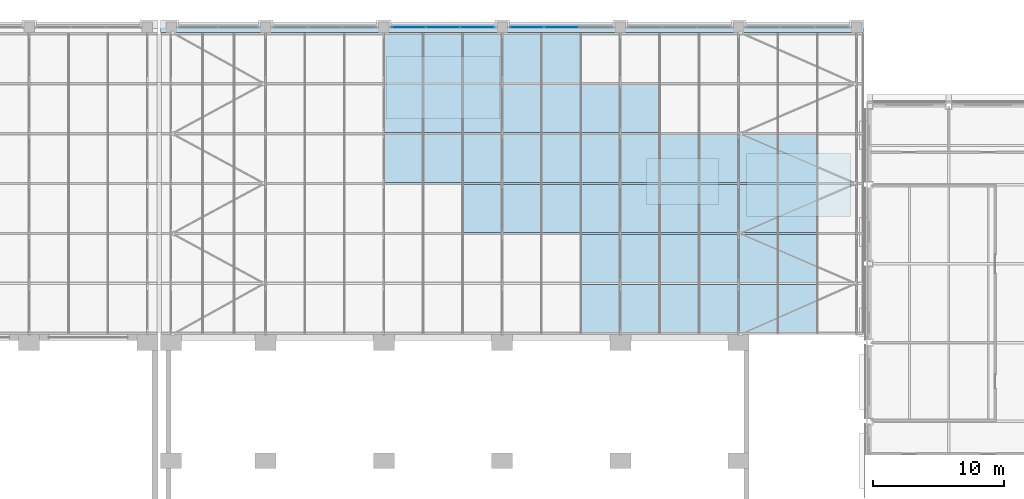
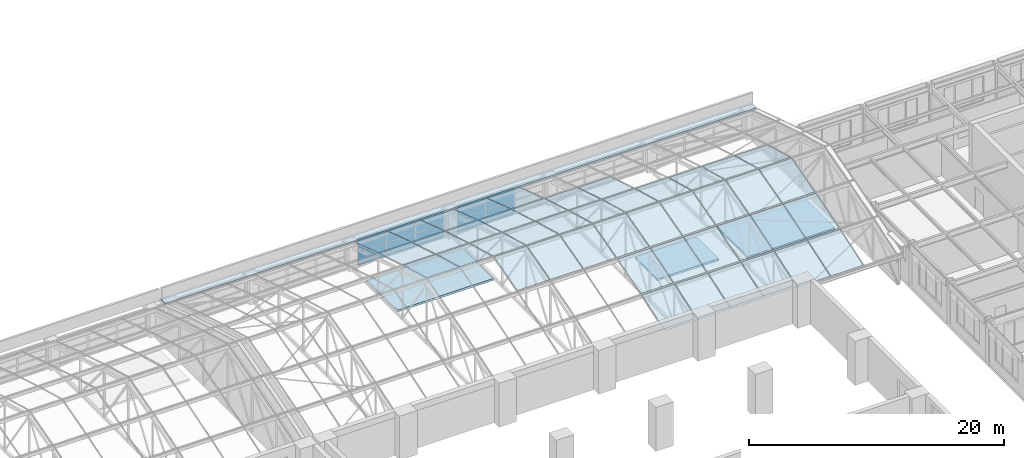
# One storey, part 52 of 82: 54 plates, 4 slabs, 3 elements without a shape of their own.
"""IFC4 building model written with IfcOpenShell, lengths in metres."""

from ifc_helpers import new_model, si_unit, direction, frame, origin, origin_2d, place, context, subcontext, project, spatial, polyline, rectangle, outline, extrude, material, layer, layer_set, type_object, element, aggregate, save


model = new_model("IFC4")

# Units and contexts
model_context = context("Model", 3, precision=1e-05, world=origin(), true_north=direction((0.0, 1.0)))
body_context = subcontext(model_context, "Body", "Model", "MODEL_VIEW")
ifc_project = project(units=[si_unit("LENGTHUNIT", "METRE"), si_unit("AREAUNIT", "SQUARE_METRE"), si_unit("VOLUMEUNIT", "CUBIC_METRE"), si_unit("PLANEANGLEUNIT", "RADIAN"), si_unit("MASSUNIT", "GRAM", prefix="KILO")], contexts=[model_context])

# Site, building, storey
site_placement = place(None, origin())
site = spatial("IfcSite", under=ifc_project, at=site_placement, CompositionType="ELEMENT")
building_placement = place(site_placement, origin())
building = spatial("IfcBuilding", under=site, at=building_placement, Name="Aravalli Gate Trade Fair Centre", CompositionType="ELEMENT")
storey_placement = place(building_placement, frame((0.0, 0.0, 19.199951171875)))
storey = spatial("IfcBuildingStorey", under=building, at=storey_placement, Name="L04", CompositionType="ELEMENT", Elevation=19.199951171875)

# Slabs
ifc_material_1 = material(Name="Concrete M40", Category="concrete")
ifc_layer_1 = layer(ifc_material_1, 0.199951171875)
ifc_layer_set_1 = layer_set([ifc_layer_1], Name="Concrete M40")
slab_type_1 = type_object("IfcSlabType", Name="Concourse core cover slab 200", PredefinedType="ROOF", material=ifc_layer_set_1)
slab_1_placement = place(storey_placement, origin())
element("IfcSlab", 1, at=slab_1_placement, inside=storey, type_object=slab_type_1, Name="Core cover slab ES", PredefinedType="ROOF", context=body_context, shape_type="SweptSolid", body=[
    extrude(outline(polyline([(150.60009765625, 118.60009765625), (158.5, 118.60009765625), (158.5, 123.39990234375), (150.60009765625, 123.39990234375), (150.60009765625, 118.60009765625)])), origin(), (0.0, 0.0, 1.0), 0.199951171875),
])
slab_2_placement = place(storey_placement, origin())
element("IfcSlab", 2, at=slab_2_placement, inside=storey, type_object=slab_type_1, Name="Core cover slab EL", PredefinedType="ROOF", context=body_context, shape_type="SweptSolid", body=[
    extrude(outline(polyline([(142.949951171875, 119.5), (148.5, 119.5), (148.5, 123.0), (142.949951171875, 123.0), (142.949951171875, 119.5)])), origin(), (0.0, 0.0, 1.0), 0.199951171875),
])
slab_3_placement = place(storey_placement, origin())
element("IfcSlab", 3, at=slab_3_placement, inside=storey, type_object=slab_type_1, Name="Core cover slab XE", PredefinedType="ROOF", context=body_context, shape_type="SweptSolid", body=[
    extrude(outline(polyline([(123.14990234375, 126.0), (131.85009765625, 126.0), (131.85009765625, 130.800048828125), (123.14990234375, 130.800048828125), (123.14990234375, 126.0)])), origin(), (0.0, 0.0, 1.0), 0.199951171875),
])
ifc_material_2 = material(Name="Concrete M30", Category="concrete")
ifc_layer_2 = layer(ifc_material_2, 0.1201171875, Name="Concrete topping")
ifc_material_3 = material(Name="Steel E350", Category="steel")
ifc_layer_3 = layer(ifc_material_3, 0.030029296875, Name="Profiled deck sheet")
ifc_layer_set_2 = layer_set([ifc_layer_2, ifc_layer_3], Name="Concourse roof deck 150")
slab_type_2 = type_object("IfcSlabType", Name="Concourse roof deck 150", PredefinedType="ROOF", material=ifc_layer_set_2)
slab_4_placement = place(storey_placement, frame((0.0, 0.0, 2.699951171875)))
element("IfcSlab", 4, at=slab_4_placement, inside=storey, type_object=slab_type_2, Name="Concourse eaves deck 3", PredefinedType="ROOF", context=body_context, shape_type="SweptSolid", body=[
    extrude(outline(polyline([(159.5, 133.39990234375), (106.0, 133.39990234375), (106.0, 132.60009765625), (159.5, 132.60009765625), (159.5, 133.39990234375)])), origin(), (0.0, 0.0, 1.0), 0.150146484375),
])

# Curtain wall, plates
ifc_material_4 = material(Name="Aluminium and glass", Category="aluminium")
curtain_wall_type_1 = type_object("IfcCurtainWallType", Name="Curtain wall 3000 module", PredefinedType="NOTDEFINED", material=ifc_material_4)
curtain_wall_1_placement = place(storey_placement, origin())
curtain_wall_1 = element("IfcCurtainWall", 5, at=curtain_wall_1_placement, inside=storey, type_object=curtain_wall_type_1, Name="Curtain wall north bay 15 L04", PredefinedType="NOTDEFINED")
ifc_material_5 = material(Name="Glass, double glazed", Category="glass")
ifc_layer_4 = layer(ifc_material_5, 0.028076171875)
ifc_layer_set_3 = layer_set([ifc_layer_4], Name="Glass, double glazed")
plate_type_1 = type_object("IfcPlateType", Name="Curtain wall panel, double glazed 28", PredefinedType="CURTAIN_PANEL", material=ifc_layer_set_3)
plate_1_placement = place(storey_placement, frame((124.881591796875, 133.0, 0.06005859375), z_axis=(0.0, 0.0, 1.0), x_axis=(1.0, 0.0, 0.0)))
plate_1 = element("IfcPlate", 6, at=plate_1_placement, type_object=plate_type_1, Name="CW1 panel 1.1", PredefinedType="CURTAIN_PANEL", context=body_context, shape_type="SweptSolid", body=[
    extrude(rectangle(XDim=2.543212890625, YDim=0.028076171875, at=origin_2d()), origin(), (0.0, 0.0, 1.0), 1.260009765625),
])
plate_2_placement = place(storey_placement, frame((124.881591796875, 133.0, 1.3798828125), z_axis=(0.0, 0.0, 1.0), x_axis=(1.0, 0.0, 0.0)))
plate_2 = element("IfcPlate", 7, at=plate_2_placement, type_object=plate_type_1, Name="CW1 panel 1.2", PredefinedType="CURTAIN_PANEL", context=body_context, shape_type="SweptSolid", body=[
    extrude(rectangle(XDim=2.543212890625, YDim=0.028076171875, at=origin_2d()), origin(), (0.0, 0.0, 1.0), 1.260009765625),
])
plate_3_placement = place(storey_placement, frame((127.5, 133.0, 0.06005859375), z_axis=(0.0, 0.0, 1.0), x_axis=(1.0, 0.0, 0.0)))
plate_3 = element("IfcPlate", 8, at=plate_3_placement, type_object=plate_type_1, Name="CW1 panel 2.1", PredefinedType="CURTAIN_PANEL", context=body_context, shape_type="SweptSolid", body=[
    extrude(rectangle(XDim=2.5732421875, YDim=0.028076171875, at=origin_2d()), origin(), (0.0, 0.0, 1.0), 1.260009765625),
])
plate_4_placement = place(storey_placement, frame((127.5, 133.0, 1.3798828125), z_axis=(0.0, 0.0, 1.0), x_axis=(1.0, 0.0, 0.0)))
plate_4 = element("IfcPlate", 9, at=plate_4_placement, type_object=plate_type_1, Name="CW1 panel 2.2", PredefinedType="CURTAIN_PANEL", context=body_context, shape_type="SweptSolid", body=[
    extrude(rectangle(XDim=2.5732421875, YDim=0.028076171875, at=origin_2d()), origin(), (0.0, 0.0, 1.0), 1.260009765625),
])
plate_5_placement = place(storey_placement, frame((130.118408203125, 133.0, 0.06005859375), z_axis=(0.0, 0.0, 1.0), x_axis=(1.0, 0.0, 0.0)))
plate_5 = element("IfcPlate", 10, at=plate_5_placement, type_object=plate_type_1, Name="CW1 panel 3.1", PredefinedType="CURTAIN_PANEL", context=body_context, shape_type="SweptSolid", body=[
    extrude(rectangle(XDim=2.543212890625, YDim=0.028076171875, at=origin_2d()), origin(), (0.0, 0.0, 1.0), 1.260009765625),
])
plate_6_placement = place(storey_placement, frame((130.118408203125, 133.0, 1.3798828125), z_axis=(0.0, 0.0, 1.0), x_axis=(1.0, 0.0, 0.0)))
plate_6 = element("IfcPlate", 11, at=plate_6_placement, type_object=plate_type_1, Name="CW1 panel 3.2", PredefinedType="CURTAIN_PANEL", context=body_context, shape_type="SweptSolid", body=[
    extrude(rectangle(XDim=2.543212890625, YDim=0.028076171875, at=origin_2d()), origin(), (0.0, 0.0, 1.0), 1.260009765625),
])
aggregate(curtain_wall_1, [plate_1, plate_2, plate_3, plate_4, plate_5, plate_6])

curtain_wall_2_placement = place(storey_placement, origin())
curtain_wall_2 = element("IfcCurtainWall", 12, at=curtain_wall_2_placement, inside=storey, type_object=curtain_wall_type_1, Name="Curtain wall north bay 16 L04", PredefinedType="NOTDEFINED")
plate_7_placement = place(storey_placement, frame((133.881591796875, 133.0, 0.06005859375), z_axis=(0.0, 0.0, 1.0), x_axis=(1.0, 0.0, 0.0)))
plate_7 = element("IfcPlate", 13, at=plate_7_placement, type_object=plate_type_1, Name="CW1 panel 1.1", PredefinedType="CURTAIN_PANEL", context=body_context, shape_type="SweptSolid", body=[
    extrude(rectangle(XDim=2.543212890625, YDim=0.028076171875, at=origin_2d()), origin(), (0.0, 0.0, 1.0), 1.260009765625),
])
plate_8_placement = place(storey_placement, frame((133.881591796875, 133.0, 1.3798828125), z_axis=(0.0, 0.0, 1.0), x_axis=(1.0, 0.0, 0.0)))
plate_8 = element("IfcPlate", 14, at=plate_8_placement, type_object=plate_type_1, Name="CW1 panel 1.2", PredefinedType="CURTAIN_PANEL", context=body_context, shape_type="SweptSolid", body=[
    extrude(rectangle(XDim=2.543212890625, YDim=0.028076171875, at=origin_2d()), origin(), (0.0, 0.0, 1.0), 1.260009765625),
])
plate_9_placement = place(storey_placement, frame((136.5, 133.0, 0.06005859375), z_axis=(0.0, 0.0, 1.0), x_axis=(1.0, 0.0, 0.0)))
plate_9 = element("IfcPlate", 15, at=plate_9_placement, type_object=plate_type_1, Name="CW1 panel 2.1", PredefinedType="CURTAIN_PANEL", context=body_context, shape_type="SweptSolid", body=[
    extrude(rectangle(XDim=2.5732421875, YDim=0.028076171875, at=origin_2d()), origin(), (0.0, 0.0, 1.0), 1.260009765625),
])
plate_10_placement = place(storey_placement, frame((136.5, 133.0, 1.3798828125), z_axis=(0.0, 0.0, 1.0), x_axis=(1.0, 0.0, 0.0)))
plate_10 = element("IfcPlate", 16, at=plate_10_placement, type_object=plate_type_1, Name="CW1 panel 2.2", PredefinedType="CURTAIN_PANEL", context=body_context, shape_type="SweptSolid", body=[
    extrude(rectangle(XDim=2.5732421875, YDim=0.028076171875, at=origin_2d()), origin(), (0.0, 0.0, 1.0), 1.260009765625),
])
aggregate(curtain_wall_2, [plate_7, plate_8, plate_9, plate_10])

curtain_wall_type_2 = type_object("IfcCurtainWallType", Name="Vault curtain wall, sloped glazing", PredefinedType="NOTDEFINED", material=ifc_material_4)
curtain_wall_3_placement = place(storey_placement, origin())
curtain_wall_3 = element("IfcCurtainWall", 17, at=curtain_wall_3_placement, inside=storey, type_object=curtain_wall_type_2, Name="Vault curtain wall e", PredefinedType="NOTDEFINED")
ifc_material_6 = material(Name="Glass, laminated double glazed", Category="glass")
ifc_layer_5 = layer(ifc_material_6, 0.028076171875)
ifc_layer_set_4 = layer_set([ifc_layer_5], Name="Glass, laminated double glazed")
plate_type_2 = type_object("IfcPlateType", Name="Vault glazing panel, facet class 1", PredefinedType="CURTAIN_PANEL", material=ifc_layer_set_4)
plate_11_placement = place(storey_placement, frame((123.030029296875, 128.77001953125, 4.0771484375), z_axis=(0.0, 0.312518472278, 0.949911682466), x_axis=(1.0, 0.0, 0.0)))
plate_11 = element("IfcPlate", 18, at=plate_11_placement, type_object=plate_type_2, Name="Vault glazing e8.6", PredefinedType="CURTAIN_PANEL", context=body_context, shape_type="SweptSolid", body=[
    extrude(outline(polyline([(0.0, 0.0), (2.93994140625, 0.0), (2.93994140625, 3.852897250273449), (0.0, 3.852897250273449), (0.0, 0.0)])), origin(), (0.0, 0.0, -1.0), 0.028076171875),
])
plate_12_placement = place(storey_placement, frame((126.030029296875, 128.77001953125, 4.0771484375), z_axis=(0.0, 0.312518472278, 0.949911682466), x_axis=(1.0, 0.0, 0.0)))
plate_12 = element("IfcPlate", 19, at=plate_12_placement, type_object=plate_type_2, Name="Vault glazing e9.6", PredefinedType="CURTAIN_PANEL", context=body_context, shape_type="SweptSolid", body=[
    extrude(outline(polyline([(0.0, 0.0), (2.93994140625, 0.0), (2.93994140625, 3.852897250273449), (0.0, 3.852897250273449), (0.0, 0.0)])), origin(), (0.0, 0.0, -1.0), 0.028076171875),
])
plate_13_placement = place(storey_placement, frame((129.030029296875, 128.77001953125, 4.0771484375), z_axis=(0.0, 0.312518472278, 0.949911682466), x_axis=(1.0, 0.0, 0.0)))
plate_13 = element("IfcPlate", 20, at=plate_13_placement, type_object=plate_type_2, Name="Vault glazing e10.6", PredefinedType="CURTAIN_PANEL", context=body_context, shape_type="SweptSolid", body=[
    extrude(outline(polyline([(0.0, 0.0), (2.93994140625, 0.0), (2.93994140625, 3.852897250273449), (0.0, 3.852897250273449), (0.0, 0.0)])), origin(), (0.0, 0.0, -1.0), 0.028076171875),
])
plate_14_placement = place(storey_placement, frame((132.030029296875, 128.77001953125, 4.0771484375), z_axis=(0.0, 0.312518472278, 0.949911682466), x_axis=(1.0, 0.0, 0.0)))
plate_14 = element("IfcPlate", 21, at=plate_14_placement, type_object=plate_type_2, Name="Vault glazing e11.6", PredefinedType="CURTAIN_PANEL", context=body_context, shape_type="SweptSolid", body=[
    extrude(outline(polyline([(0.0, 0.0), (2.93994140625, 0.0), (2.93994140625, 3.852897250273449), (0.0, 3.852897250273449), (0.0, 0.0)])), origin(), (0.0, 0.0, -1.0), 0.028076171875),
])
plate_15_placement = place(storey_placement, frame((135.030029296875, 128.77001953125, 4.0771484375), z_axis=(0.0, 0.312518472278, 0.949911682466), x_axis=(1.0, 0.0, 0.0)))
plate_15 = element("IfcPlate", 22, at=plate_15_placement, type_object=plate_type_2, Name="Vault glazing e12.6", PredefinedType="CURTAIN_PANEL", context=body_context, shape_type="SweptSolid", body=[
    extrude(outline(polyline([(0.0, 0.0), (2.93994140625, 0.0), (2.93994140625, 3.852897250273449), (0.0, 3.852897250273449), (0.0, 0.0)])), origin(), (0.0, 0.0, -1.0), 0.028076171875),
])
plate_16_placement = place(storey_placement, frame((138.030029296875, 109.77001953125, 2.873046875), z_axis=(0.0, -0.312518472278, 0.949911682466), x_axis=(1.0, 0.0, 0.0)))
plate_16 = element("IfcPlate", 23, at=plate_16_placement, type_object=plate_type_2, Name="Vault glazing e13.1", PredefinedType="CURTAIN_PANEL", context=body_context, shape_type="SweptSolid", body=[
    extrude(outline(polyline([(0.0, 0.0), (2.93994140625, 0.0), (2.93994140625, 3.852897250273449), (0.0, 3.852897250273449), (0.0, 0.0)])), origin(), (0.0, 0.0, -1.0), 0.028076171875),
])
plate_17_placement = place(storey_placement, frame((141.030029296875, 109.77001953125, 2.873046875), z_axis=(0.0, -0.312518472278, 0.949911682466), x_axis=(1.0, 0.0, 0.0)))
plate_17 = element("IfcPlate", 24, at=plate_17_placement, type_object=plate_type_2, Name="Vault glazing e14.1", PredefinedType="CURTAIN_PANEL", context=body_context, shape_type="SweptSolid", body=[
    extrude(outline(polyline([(0.0, 0.0), (2.93994140625, 0.0), (2.93994140625, 3.852897250273449), (0.0, 3.852897250273449), (0.0, 0.0)])), origin(), (0.0, 0.0, -1.0), 0.028076171875),
])
plate_18_placement = place(storey_placement, frame((144.030029296875, 109.77001953125, 2.873046875), z_axis=(0.0, -0.312518472278, 0.949911682466), x_axis=(1.0, 0.0, 0.0)))
plate_18 = element("IfcPlate", 25, at=plate_18_placement, type_object=plate_type_2, Name="Vault glazing e15.1", PredefinedType="CURTAIN_PANEL", context=body_context, shape_type="SweptSolid", body=[
    extrude(outline(polyline([(0.0, 0.0), (2.93994140625, 0.0), (2.93994140625, 3.852897250273449), (0.0, 3.852897250273449), (0.0, 0.0)])), origin(), (0.0, 0.0, -1.0), 0.028076171875),
])
plate_19_placement = place(storey_placement, frame((147.030029296875, 109.77001953125, 2.873046875), z_axis=(0.0, -0.312518472278, 0.949911682466), x_axis=(1.0, 0.0, 0.0)))
plate_19 = element("IfcPlate", 26, at=plate_19_placement, type_object=plate_type_2, Name="Vault glazing e16.1", PredefinedType="CURTAIN_PANEL", context=body_context, shape_type="SweptSolid", body=[
    extrude(outline(polyline([(0.0, 0.0), (2.93994140625, 0.0), (2.93994140625, 3.852897250273449), (0.0, 3.852897250273449), (0.0, 0.0)])), origin(), (0.0, 0.0, -1.0), 0.028076171875),
])
plate_20_placement = place(storey_placement, frame((150.030029296875, 109.77001953125, 2.873046875), z_axis=(0.0, -0.312518472278, 0.949911682466), x_axis=(1.0, 0.0, 0.0)))
plate_20 = element("IfcPlate", 27, at=plate_20_placement, type_object=plate_type_2, Name="Vault glazing e17.1", PredefinedType="CURTAIN_PANEL", context=body_context, shape_type="SweptSolid", body=[
    extrude(outline(polyline([(0.0, 0.0), (2.93994140625, 0.0), (2.93994140625, 3.852897250273449), (0.0, 3.852897250273449), (0.0, 0.0)])), origin(), (0.0, 0.0, -1.0), 0.028076171875),
])
plate_21_placement = place(storey_placement, frame((153.030029296875, 109.77001953125, 2.873046875), z_axis=(0.0, -0.312518472278, 0.949911682466), x_axis=(1.0, 0.0, 0.0)))
plate_21 = element("IfcPlate", 28, at=plate_21_placement, type_object=plate_type_2, Name="Vault glazing e18.1", PredefinedType="CURTAIN_PANEL", context=body_context, shape_type="SweptSolid", body=[
    extrude(outline(polyline([(0.0, 0.0), (2.93994140625, 0.0), (2.93994140625, 3.852897250273449), (0.0, 3.852897250273449), (0.0, 0.0)])), origin(), (0.0, 0.0, -1.0), 0.028076171875),
])
ifc_layer_6 = layer(ifc_material_6, 0.028076171875)
ifc_layer_set_5 = layer_set([ifc_layer_6], Name="Glass, laminated double glazed")
plate_type_3 = type_object("IfcPlateType", Name="Vault glazing panel, facet class 2", PredefinedType="CURTAIN_PANEL", material=ifc_layer_set_5)
plate_22_placement = place(storey_placement, frame((123.030029296875, 124.969970703125, 5.228759765625), z_axis=(0.0, 0.289613973345, 0.957143534922), x_axis=(1.0, 0.0, 0.0)))
plate_22 = element("IfcPlate", 29, at=plate_22_placement, type_object=plate_type_3, Name="Vault glazing e8.5", PredefinedType="CURTAIN_PANEL", context=body_context, shape_type="SweptSolid", body=[
    extrude(outline(polyline([(0.0, 0.0), (2.93994140625, 0.0), (2.93994140625, 3.8237860632595906), (0.0, 3.8237860632595906), (0.0, 0.0)])), origin(), (0.0, 0.0, -1.0), 0.028076171875),
])
plate_23_placement = place(storey_placement, frame((126.030029296875, 124.969970703125, 5.228759765625), z_axis=(0.0, 0.289613973345, 0.957143534922), x_axis=(1.0, 0.0, 0.0)))
plate_23 = element("IfcPlate", 30, at=plate_23_placement, type_object=plate_type_3, Name="Vault glazing e9.5", PredefinedType="CURTAIN_PANEL", context=body_context, shape_type="SweptSolid", body=[
    extrude(outline(polyline([(0.0, 0.0), (2.93994140625, 0.0), (2.93994140625, 3.8237860632595906), (0.0, 3.8237860632595906), (0.0, 0.0)])), origin(), (0.0, 0.0, -1.0), 0.028076171875),
])
plate_24_placement = place(storey_placement, frame((129.030029296875, 124.969970703125, 5.228759765625), z_axis=(0.0, 0.289613973345, 0.957143534922), x_axis=(1.0, 0.0, 0.0)))
plate_24 = element("IfcPlate", 31, at=plate_24_placement, type_object=plate_type_3, Name="Vault glazing e10.5", PredefinedType="CURTAIN_PANEL", context=body_context, shape_type="SweptSolid", body=[
    extrude(outline(polyline([(0.0, 0.0), (2.93994140625, 0.0), (2.93994140625, 3.8237860632595906), (0.0, 3.8237860632595906), (0.0, 0.0)])), origin(), (0.0, 0.0, -1.0), 0.028076171875),
])
plate_25_placement = place(storey_placement, frame((132.030029296875, 124.969970703125, 5.228759765625), z_axis=(0.0, 0.289613973345, 0.957143534922), x_axis=(1.0, 0.0, 0.0)))
plate_25 = element("IfcPlate", 32, at=plate_25_placement, type_object=plate_type_3, Name="Vault glazing e11.5", PredefinedType="CURTAIN_PANEL", context=body_context, shape_type="SweptSolid", body=[
    extrude(outline(polyline([(0.0, 0.0), (2.93994140625, 0.0), (2.93994140625, 3.8237860632595906), (0.0, 3.8237860632595906), (0.0, 0.0)])), origin(), (0.0, 0.0, -1.0), 0.028076171875),
])
plate_26_placement = place(storey_placement, frame((135.030029296875, 124.969970703125, 5.228759765625), z_axis=(0.0, 0.289613973345, 0.957143534922), x_axis=(1.0, 0.0, 0.0)))
plate_26 = element("IfcPlate", 33, at=plate_26_placement, type_object=plate_type_3, Name="Vault glazing e12.5", PredefinedType="CURTAIN_PANEL", context=body_context, shape_type="SweptSolid", body=[
    extrude(outline(polyline([(0.0, 0.0), (2.93994140625, 0.0), (2.93994140625, 3.8237860632595906), (0.0, 3.8237860632595906), (0.0, 0.0)])), origin(), (0.0, 0.0, -1.0), 0.028076171875),
])
plate_27_placement = place(storey_placement, frame((138.030029296875, 113.570068359375, 4.121337890625), z_axis=(0.0, -0.289613973345, 0.957143534922), x_axis=(1.0, 0.0, 0.0)))
plate_27 = element("IfcPlate", 34, at=plate_27_placement, type_object=plate_type_3, Name="Vault glazing e13.2", PredefinedType="CURTAIN_PANEL", context=body_context, shape_type="SweptSolid", body=[
    extrude(outline(polyline([(0.0, 0.0), (2.93994140625, 0.0), (2.93994140625, 3.8237860632595906), (0.0, 3.8237860632595906), (0.0, 0.0)])), origin(), (0.0, 0.0, -1.0), 0.028076171875),
])
plate_28_placement = place(storey_placement, frame((138.030029296875, 124.969970703125, 5.228759765625), z_axis=(0.0, 0.289613973345, 0.957143534922), x_axis=(1.0, 0.0, 0.0)))
plate_28 = element("IfcPlate", 35, at=plate_28_placement, type_object=plate_type_3, Name="Vault glazing e13.5", PredefinedType="CURTAIN_PANEL", context=body_context, shape_type="SweptSolid", body=[
    extrude(outline(polyline([(0.0, 0.0), (2.93994140625, 0.0), (2.93994140625, 3.8237860632595906), (0.0, 3.8237860632595906), (0.0, 0.0)])), origin(), (0.0, 0.0, -1.0), 0.028076171875),
])
plate_29_placement = place(storey_placement, frame((141.030029296875, 113.570068359375, 4.121337890625), z_axis=(0.0, -0.289613973345, 0.957143534922), x_axis=(1.0, 0.0, 0.0)))
plate_29 = element("IfcPlate", 36, at=plate_29_placement, type_object=plate_type_3, Name="Vault glazing e14.2", PredefinedType="CURTAIN_PANEL", context=body_context, shape_type="SweptSolid", body=[
    extrude(outline(polyline([(0.0, 0.0), (2.93994140625, 0.0), (2.93994140625, 3.8237860632595906), (0.0, 3.8237860632595906), (0.0, 0.0)])), origin(), (0.0, 0.0, -1.0), 0.028076171875),
])
plate_30_placement = place(storey_placement, frame((141.030029296875, 124.969970703125, 5.228759765625), z_axis=(0.0, 0.289613973345, 0.957143534922), x_axis=(1.0, 0.0, 0.0)))
plate_30 = element("IfcPlate", 37, at=plate_30_placement, type_object=plate_type_3, Name="Vault glazing e14.5", PredefinedType="CURTAIN_PANEL", context=body_context, shape_type="SweptSolid", body=[
    extrude(outline(polyline([(0.0, 0.0), (2.93994140625, 0.0), (2.93994140625, 3.8237860632595906), (0.0, 3.8237860632595906), (0.0, 0.0)])), origin(), (0.0, 0.0, -1.0), 0.028076171875),
])
plate_31_placement = place(storey_placement, frame((144.030029296875, 113.570068359375, 4.121337890625), z_axis=(0.0, -0.289613973345, 0.957143534922), x_axis=(1.0, 0.0, 0.0)))
plate_31 = element("IfcPlate", 38, at=plate_31_placement, type_object=plate_type_3, Name="Vault glazing e15.2", PredefinedType="CURTAIN_PANEL", context=body_context, shape_type="SweptSolid", body=[
    extrude(outline(polyline([(0.0, 0.0), (2.93994140625, 0.0), (2.93994140625, 3.8237860632595906), (0.0, 3.8237860632595906), (0.0, 0.0)])), origin(), (0.0, 0.0, -1.0), 0.028076171875),
])
plate_32_placement = place(storey_placement, frame((147.030029296875, 113.570068359375, 4.121337890625), z_axis=(0.0, -0.289613973345, 0.957143534922), x_axis=(1.0, 0.0, 0.0)))
plate_32 = element("IfcPlate", 39, at=plate_32_placement, type_object=plate_type_3, Name="Vault glazing e16.2", PredefinedType="CURTAIN_PANEL", context=body_context, shape_type="SweptSolid", body=[
    extrude(outline(polyline([(0.0, 0.0), (2.93994140625, 0.0), (2.93994140625, 3.8237860632595906), (0.0, 3.8237860632595906), (0.0, 0.0)])), origin(), (0.0, 0.0, -1.0), 0.028076171875),
])
plate_33_placement = place(storey_placement, frame((150.030029296875, 113.570068359375, 4.121337890625), z_axis=(0.0, -0.289613973345, 0.957143534922), x_axis=(1.0, 0.0, 0.0)))
plate_33 = element("IfcPlate", 40, at=plate_33_placement, type_object=plate_type_3, Name="Vault glazing e17.2", PredefinedType="CURTAIN_PANEL", context=body_context, shape_type="SweptSolid", body=[
    extrude(outline(polyline([(0.0, 0.0), (2.93994140625, 0.0), (2.93994140625, 3.8237860632595906), (0.0, 3.8237860632595906), (0.0, 0.0)])), origin(), (0.0, 0.0, -1.0), 0.028076171875),
])
plate_34_placement = place(storey_placement, frame((153.030029296875, 113.570068359375, 4.121337890625), z_axis=(0.0, -0.289613973345, 0.957143534922), x_axis=(1.0, 0.0, 0.0)))
plate_34 = element("IfcPlate", 41, at=plate_34_placement, type_object=plate_type_3, Name="Vault glazing e18.2", PredefinedType="CURTAIN_PANEL", context=body_context, shape_type="SweptSolid", body=[
    extrude(outline(polyline([(0.0, 0.0), (2.93994140625, 0.0), (2.93994140625, 3.8237860632595906), (0.0, 3.8237860632595906), (0.0, 0.0)])), origin(), (0.0, 0.0, -1.0), 0.028076171875),
])
ifc_layer_7 = layer(ifc_material_6, 0.028076171875)
ifc_layer_set_6 = layer_set([ifc_layer_7], Name="Glass, laminated double glazed")
plate_type_4 = type_object("IfcPlateType", Name="Vault glazing panel, facet class 3", PredefinedType="CURTAIN_PANEL", material=ifc_layer_set_6)
plate_35_placement = place(storey_placement, frame((123.030029296875, 121.169921875, 6.28076171875), z_axis=(0.0, 0.266363673386, 0.963872602318), x_axis=(1.0, 0.0, 0.0)))
plate_35 = element("IfcPlate", 42, at=plate_35_placement, type_object=plate_type_4, Name="Vault glazing e8.4", PredefinedType="CURTAIN_PANEL", context=body_context, shape_type="SweptSolid", body=[
    extrude(outline(polyline([(0.0, 0.0), (2.93994140625, 0.0), (2.93994140625, 3.797344422069767), (0.0, 3.797344422069767), (0.0, 0.0)])), origin(), (0.0, 0.0, -1.0), 0.028076171875),
])
plate_36_placement = place(storey_placement, frame((126.030029296875, 121.169921875, 6.28076171875), z_axis=(0.0, 0.266363673386, 0.963872602318), x_axis=(1.0, 0.0, 0.0)))
plate_36 = element("IfcPlate", 43, at=plate_36_placement, type_object=plate_type_4, Name="Vault glazing e9.4", PredefinedType="CURTAIN_PANEL", context=body_context, shape_type="SweptSolid", body=[
    extrude(outline(polyline([(0.0, 0.0), (2.93994140625, 0.0), (2.93994140625, 3.797344422069767), (0.0, 3.797344422069767), (0.0, 0.0)])), origin(), (0.0, 0.0, -1.0), 0.028076171875),
])
plate_37_placement = place(storey_placement, frame((129.030029296875, 117.3701171875, 5.269287109375), z_axis=(0.0, -0.266380180859, 0.96386804037), x_axis=(1.0, 0.0, 0.0)))
plate_37 = element("IfcPlate", 44, at=plate_37_placement, type_object=plate_type_4, Name="Vault glazing e10.3", PredefinedType="CURTAIN_PANEL", context=body_context, shape_type="SweptSolid", body=[
    extrude(outline(polyline([(0.0, 0.0), (2.93994140625, 0.0), (2.93994140625, 3.7971091021670778), (0.0, 3.7971091021670778), (0.0, 0.0)])), origin(), (0.0, 0.0, -1.0), 0.028076171875),
])
plate_38_placement = place(storey_placement, frame((129.030029296875, 121.169921875, 6.28076171875), z_axis=(0.0, 0.266363673386, 0.963872602318), x_axis=(1.0, 0.0, 0.0)))
plate_38 = element("IfcPlate", 45, at=plate_38_placement, type_object=plate_type_4, Name="Vault glazing e10.4", PredefinedType="CURTAIN_PANEL", context=body_context, shape_type="SweptSolid", body=[
    extrude(outline(polyline([(0.0, 0.0), (2.93994140625, 0.0), (2.93994140625, 3.797344422069767), (0.0, 3.797344422069767), (0.0, 0.0)])), origin(), (0.0, 0.0, -1.0), 0.028076171875),
])
plate_39_placement = place(storey_placement, frame((132.030029296875, 117.3701171875, 5.269287109375), z_axis=(0.0, -0.266380180859, 0.96386804037), x_axis=(1.0, 0.0, 0.0)))
plate_39 = element("IfcPlate", 46, at=plate_39_placement, type_object=plate_type_4, Name="Vault glazing e11.3", PredefinedType="CURTAIN_PANEL", context=body_context, shape_type="SweptSolid", body=[
    extrude(outline(polyline([(0.0, 0.0), (2.93994140625, 0.0), (2.93994140625, 3.7971091021670778), (0.0, 3.7971091021670778), (0.0, 0.0)])), origin(), (0.0, 0.0, -1.0), 0.028076171875),
])
plate_40_placement = place(storey_placement, frame((132.030029296875, 121.169921875, 6.28076171875), z_axis=(0.0, 0.266363673386, 0.963872602318), x_axis=(1.0, 0.0, 0.0)))
plate_40 = element("IfcPlate", 47, at=plate_40_placement, type_object=plate_type_4, Name="Vault glazing e11.4", PredefinedType="CURTAIN_PANEL", context=body_context, shape_type="SweptSolid", body=[
    extrude(outline(polyline([(0.0, 0.0), (2.93994140625, 0.0), (2.93994140625, 3.797344422069767), (0.0, 3.797344422069767), (0.0, 0.0)])), origin(), (0.0, 0.0, -1.0), 0.028076171875),
])
plate_41_placement = place(storey_placement, frame((135.030029296875, 117.3701171875, 5.269287109375), z_axis=(0.0, -0.266380180859, 0.96386804037), x_axis=(1.0, 0.0, 0.0)))
plate_41 = element("IfcPlate", 48, at=plate_41_placement, type_object=plate_type_4, Name="Vault glazing e12.3", PredefinedType="CURTAIN_PANEL", context=body_context, shape_type="SweptSolid", body=[
    extrude(outline(polyline([(0.0, 0.0), (2.93994140625, 0.0), (2.93994140625, 3.7971091021670778), (0.0, 3.7971091021670778), (0.0, 0.0)])), origin(), (0.0, 0.0, -1.0), 0.028076171875),
])
plate_42_placement = place(storey_placement, frame((135.030029296875, 121.169921875, 6.28076171875), z_axis=(0.0, 0.266363673386, 0.963872602318), x_axis=(1.0, 0.0, 0.0)))
plate_42 = element("IfcPlate", 49, at=plate_42_placement, type_object=plate_type_4, Name="Vault glazing e12.4", PredefinedType="CURTAIN_PANEL", context=body_context, shape_type="SweptSolid", body=[
    extrude(outline(polyline([(0.0, 0.0), (2.93994140625, 0.0), (2.93994140625, 3.797344422069767), (0.0, 3.797344422069767), (0.0, 0.0)])), origin(), (0.0, 0.0, -1.0), 0.028076171875),
])
plate_43_placement = place(storey_placement, frame((138.030029296875, 117.3701171875, 5.269287109375), z_axis=(0.0, -0.266380180859, 0.96386804037), x_axis=(1.0, 0.0, 0.0)))
plate_43 = element("IfcPlate", 50, at=plate_43_placement, type_object=plate_type_4, Name="Vault glazing e13.3", PredefinedType="CURTAIN_PANEL", context=body_context, shape_type="SweptSolid", body=[
    extrude(outline(polyline([(0.0, 0.0), (2.93994140625, 0.0), (2.93994140625, 3.7971091021670778), (0.0, 3.7971091021670778), (0.0, 0.0)])), origin(), (0.0, 0.0, -1.0), 0.028076171875),
])
plate_44_placement = place(storey_placement, frame((138.030029296875, 121.169921875, 6.28076171875), z_axis=(0.0, 0.266363673386, 0.963872602318), x_axis=(1.0, 0.0, 0.0)))
plate_44 = element("IfcPlate", 51, at=plate_44_placement, type_object=plate_type_4, Name="Vault glazing e13.4", PredefinedType="CURTAIN_PANEL", context=body_context, shape_type="SweptSolid", body=[
    extrude(outline(polyline([(0.0, 0.0), (2.93994140625, 0.0), (2.93994140625, 3.797344422069767), (0.0, 3.797344422069767), (0.0, 0.0)])), origin(), (0.0, 0.0, -1.0), 0.028076171875),
])
plate_45_placement = place(storey_placement, frame((141.030029296875, 117.3701171875, 5.269287109375), z_axis=(0.0, -0.266380180859, 0.96386804037), x_axis=(1.0, 0.0, 0.0)))
plate_45 = element("IfcPlate", 52, at=plate_45_placement, type_object=plate_type_4, Name="Vault glazing e14.3", PredefinedType="CURTAIN_PANEL", context=body_context, shape_type="SweptSolid", body=[
    extrude(outline(polyline([(0.0, 0.0), (2.93994140625, 0.0), (2.93994140625, 3.7971091021670778), (0.0, 3.7971091021670778), (0.0, 0.0)])), origin(), (0.0, 0.0, -1.0), 0.028076171875),
])
plate_46_placement = place(storey_placement, frame((141.030029296875, 121.169921875, 6.28076171875), z_axis=(0.0, 0.266363673386, 0.963872602318), x_axis=(1.0, 0.0, 0.0)))
plate_46 = element("IfcPlate", 53, at=plate_46_placement, type_object=plate_type_4, Name="Vault glazing e14.4", PredefinedType="CURTAIN_PANEL", context=body_context, shape_type="SweptSolid", body=[
    extrude(outline(polyline([(0.0, 0.0), (2.93994140625, 0.0), (2.93994140625, 3.797344422069767), (0.0, 3.797344422069767), (0.0, 0.0)])), origin(), (0.0, 0.0, -1.0), 0.028076171875),
])
plate_47_placement = place(storey_placement, frame((144.030029296875, 117.3701171875, 5.269287109375), z_axis=(0.0, -0.266380180859, 0.96386804037), x_axis=(1.0, 0.0, 0.0)))
plate_47 = element("IfcPlate", 54, at=plate_47_placement, type_object=plate_type_4, Name="Vault glazing e15.3", PredefinedType="CURTAIN_PANEL", context=body_context, shape_type="SweptSolid", body=[
    extrude(outline(polyline([(0.0, 0.0), (2.93994140625, 0.0), (2.93994140625, 3.7971091021670778), (0.0, 3.7971091021670778), (0.0, 0.0)])), origin(), (0.0, 0.0, -1.0), 0.028076171875),
])
plate_48_placement = place(storey_placement, frame((144.030029296875, 121.169921875, 6.28076171875), z_axis=(0.0, 0.266363673386, 0.963872602318), x_axis=(1.0, 0.0, 0.0)))
plate_48 = element("IfcPlate", 55, at=plate_48_placement, type_object=plate_type_4, Name="Vault glazing e15.4", PredefinedType="CURTAIN_PANEL", context=body_context, shape_type="SweptSolid", body=[
    extrude(outline(polyline([(0.0, 0.0), (2.93994140625, 0.0), (2.93994140625, 3.797344422069767), (0.0, 3.797344422069767), (0.0, 0.0)])), origin(), (0.0, 0.0, -1.0), 0.028076171875),
])
plate_49_placement = place(storey_placement, frame((147.030029296875, 117.3701171875, 5.269287109375), z_axis=(0.0, -0.266380180859, 0.96386804037), x_axis=(1.0, 0.0, 0.0)))
plate_49 = element("IfcPlate", 56, at=plate_49_placement, type_object=plate_type_4, Name="Vault glazing e16.3", PredefinedType="CURTAIN_PANEL", context=body_context, shape_type="SweptSolid", body=[
    extrude(outline(polyline([(0.0, 0.0), (2.93994140625, 0.0), (2.93994140625, 3.7971091021670778), (0.0, 3.7971091021670778), (0.0, 0.0)])), origin(), (0.0, 0.0, -1.0), 0.028076171875),
])
plate_50_placement = place(storey_placement, frame((147.030029296875, 121.169921875, 6.28076171875), z_axis=(0.0, 0.266363673386, 0.963872602318), x_axis=(1.0, 0.0, 0.0)))
plate_50 = element("IfcPlate", 57, at=plate_50_placement, type_object=plate_type_4, Name="Vault glazing e16.4", PredefinedType="CURTAIN_PANEL", context=body_context, shape_type="SweptSolid", body=[
    extrude(outline(polyline([(0.0, 0.0), (2.93994140625, 0.0), (2.93994140625, 3.797344422069767), (0.0, 3.797344422069767), (0.0, 0.0)])), origin(), (0.0, 0.0, -1.0), 0.028076171875),
])
plate_51_placement = place(storey_placement, frame((150.030029296875, 117.3701171875, 5.269287109375), z_axis=(0.0, -0.266380180859, 0.96386804037), x_axis=(1.0, 0.0, 0.0)))
plate_51 = element("IfcPlate", 58, at=plate_51_placement, type_object=plate_type_4, Name="Vault glazing e17.3", PredefinedType="CURTAIN_PANEL", context=body_context, shape_type="SweptSolid", body=[
    extrude(outline(polyline([(0.0, 0.0), (2.93994140625, 0.0), (2.93994140625, 3.7971091021670778), (0.0, 3.7971091021670778), (0.0, 0.0)])), origin(), (0.0, 0.0, -1.0), 0.028076171875),
])
plate_52_placement = place(storey_placement, frame((150.030029296875, 121.169921875, 6.28076171875), z_axis=(0.0, 0.266363673386, 0.963872602318), x_axis=(1.0, 0.0, 0.0)))
plate_52 = element("IfcPlate", 59, at=plate_52_placement, type_object=plate_type_4, Name="Vault glazing e17.4", PredefinedType="CURTAIN_PANEL", context=body_context, shape_type="SweptSolid", body=[
    extrude(outline(polyline([(0.0, 0.0), (2.93994140625, 0.0), (2.93994140625, 3.797344422069767), (0.0, 3.797344422069767), (0.0, 0.0)])), origin(), (0.0, 0.0, -1.0), 0.028076171875),
])
plate_53_placement = place(storey_placement, frame((153.030029296875, 117.3701171875, 5.269287109375), z_axis=(0.0, -0.266380180859, 0.96386804037), x_axis=(1.0, 0.0, 0.0)))
plate_53 = element("IfcPlate", 60, at=plate_53_placement, type_object=plate_type_4, Name="Vault glazing e18.3", PredefinedType="CURTAIN_PANEL", context=body_context, shape_type="SweptSolid", body=[
    extrude(outline(polyline([(0.0, 0.0), (2.93994140625, 0.0), (2.93994140625, 3.7971091021670778), (0.0, 3.7971091021670778), (0.0, 0.0)])), origin(), (0.0, 0.0, -1.0), 0.028076171875),
])
plate_54_placement = place(storey_placement, frame((153.030029296875, 121.169921875, 6.28076171875), z_axis=(0.0, 0.266363673386, 0.963872602318), x_axis=(1.0, 0.0, 0.0)))
plate_54 = element("IfcPlate", 61, at=plate_54_placement, type_object=plate_type_4, Name="Vault glazing e18.4", PredefinedType="CURTAIN_PANEL", context=body_context, shape_type="SweptSolid", body=[
    extrude(outline(polyline([(0.0, 0.0), (2.93994140625, 0.0), (2.93994140625, 3.797344422069767), (0.0, 3.797344422069767), (0.0, 0.0)])), origin(), (0.0, 0.0, -1.0), 0.028076171875),
])
aggregate(curtain_wall_3, [plate_35, plate_22, plate_11, plate_36, plate_23, plate_12, plate_37, plate_38, plate_24, plate_13, plate_39, plate_40, plate_25, plate_14, plate_41, plate_42, plate_26, plate_15, plate_16, plate_27, plate_43, plate_44, plate_28, plate_17, plate_29, plate_45, plate_46, plate_30, plate_18, plate_31, plate_47, plate_48, plate_19, plate_32, plate_49, plate_50, plate_20, plate_33, plate_51, plate_52, plate_21, plate_34, plate_53, plate_54])

save(model, "model.ifc")
